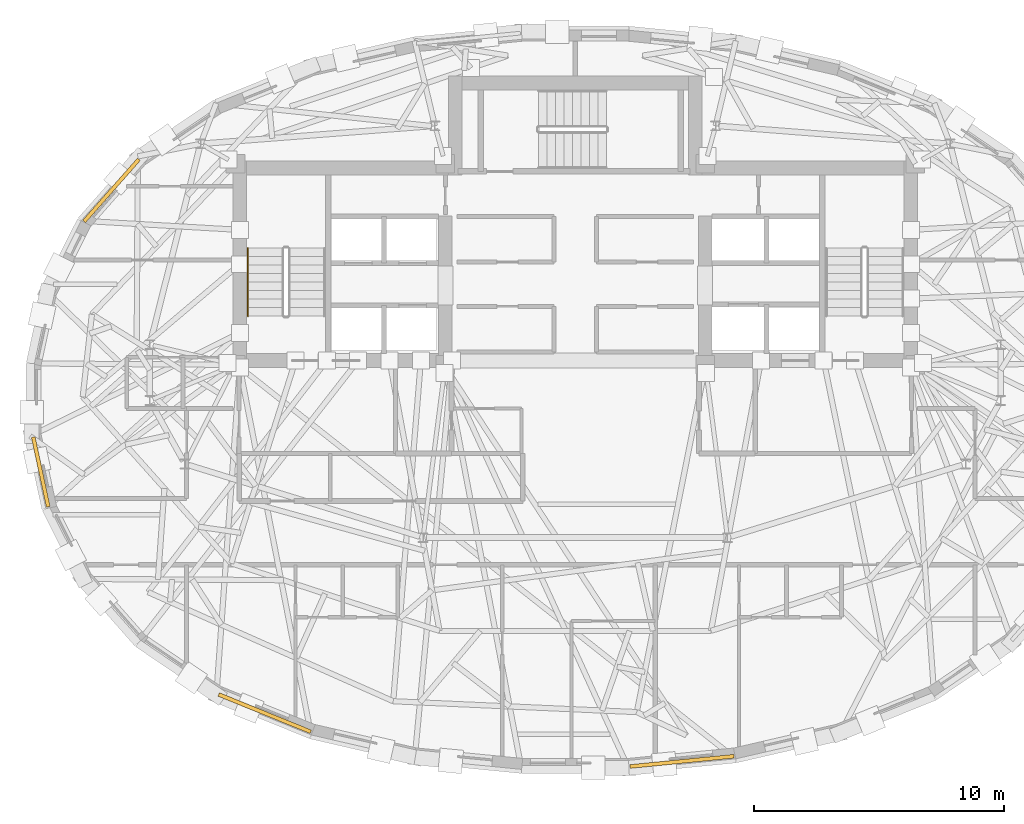
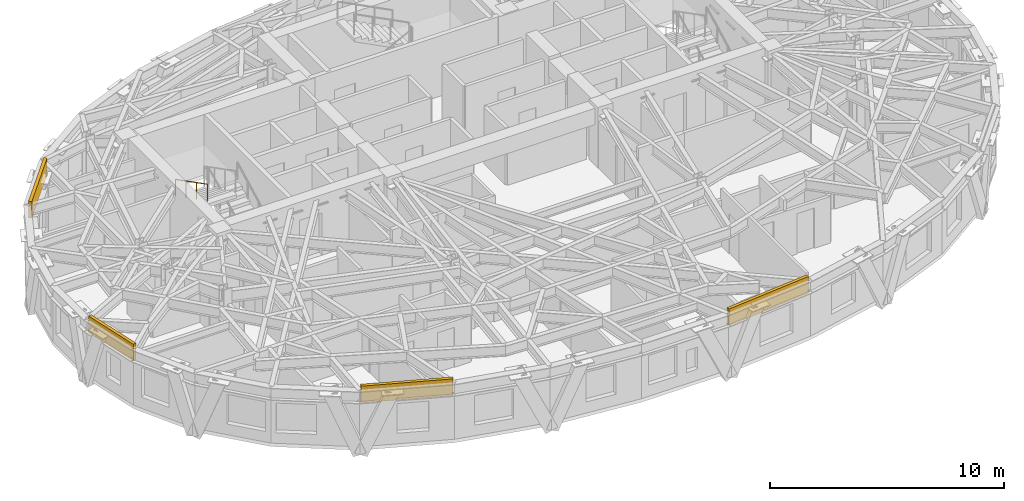
# One storey, part 11 of 13: 4 coverings, 1 railing.
"""IFC4 building model written with IfcOpenShell, lengths in metres."""

from ifc_helpers import new_model, si_unit, direction, frame, origin, origin_2d, place, context, subcontext, project, spatial, rectangle, circle, extrude, material, layer, layer_set, type_object, element, save


model = new_model("IFC4")

# Units and contexts
model_context = context("Model", 3, precision=1e-05, world=origin(), true_north=direction((0.0, 1.0)))
body_context = subcontext(model_context, "Body", "Model", "MODEL_VIEW")
ifc_project = project(units=[si_unit("LENGTHUNIT", "METRE"), si_unit("AREAUNIT", "SQUARE_METRE"), si_unit("VOLUMEUNIT", "CUBIC_METRE"), si_unit("PLANEANGLEUNIT", "RADIAN"), si_unit("MASSUNIT", "GRAM", prefix="KILO")], contexts=[model_context])

# Site, building, storey
site_placement = place(None, origin())
site = spatial("IfcSite", under=ifc_project, at=site_placement, CompositionType="ELEMENT")
building_placement = place(site_placement, origin())
building = spatial("IfcBuilding", under=site, at=building_placement, Name="Keldmark Tower", CompositionType="ELEMENT")
storey_placement = place(building_placement, frame((0.0, 0.0, 235.199951171875)))
storey = spatial("IfcBuildingStorey", under=building, at=storey_placement, Name="L66", CompositionType="ELEMENT", Elevation=235.199951171875)

# Coverings
ifc_material_1 = material(Name="Honed Kasota Buff Dolomitic Limestone", Category="masonry")
ifc_layer = layer(ifc_material_1, 0.074951171875)
ifc_layer_set = layer_set([ifc_layer], Name="Honed Kasota Buff Dolomitic Limestone")
covering_type = type_object("IfcCoveringType", Name="Kasota Buff Limestone Spandrel Cladding Band", PredefinedType="CLADDING", material=ifc_layer_set)
covering_1_placement = place(storey_placement, frame((-18.557373046875, 8.381591796875, 2.260009765625), z_axis=(0.0, 0.0, 1.0), x_axis=(-0.661364231344, -0.750064899525, 0.0)))
element("IfcCovering", 1, at=covering_1_placement, inside=storey, type_object=covering_type, Name="L66 Kasota Limestone Spandrel Band 13", PredefinedType="CLADDING", context=body_context, shape_type="SweptSolid", body=[
    extrude(rectangle(XDim=3.31201171875, YDim=0.14990234375, at=origin_2d()), origin(), (0.0, 0.0, 1.0), 0.8701171875),
])
covering_2_placement = place(storey_placement, frame((-21.389404296875, -2.884033203125, 2.260009765625), z_axis=(0.0, 0.0, 1.0), x_axis=(0.210540008659, -0.977585241682, 0.0)))
element("IfcCovering", 2, at=covering_2_placement, inside=storey, type_object=covering_type, Name="L66 Kasota Limestone Spandrel Band 17", PredefinedType="CLADDING", context=body_context, shape_type="SweptSolid", body=[
    extrude(rectangle(XDim=2.847412109375, YDim=0.14990234375, at=origin_2d()), origin(), (0.0, 0.0, 1.0), 0.8701171875),
])
covering_3_placement = place(storey_placement, frame((-12.426513671875, -12.53759765625, 2.260009765625), z_axis=(0.0, 0.0, 1.0), x_axis=(0.92672549442, -0.375739082333, 0.0)))
element("IfcCovering", 3, at=covering_3_placement, inside=storey, type_object=covering_type, Name="L66 Kasota Limestone Spandrel Band 21", PredefinedType="CLADDING", context=body_context, shape_type="SweptSolid", body=[
    extrude(rectangle(XDim=3.976318359375, YDim=0.14990234375, at=origin_2d()), origin(), (0.0, 0.0, 1.0), 0.8701171875),
])
covering_4_placement = place(storey_placement, frame((4.276123046875, -14.467529296875, 2.260009765625), z_axis=(0.0, 0.0, 1.0), x_axis=(0.995131548634, 0.098555572711, 0.0)))
element("IfcCovering", 4, at=covering_4_placement, inside=storey, type_object=covering_type, Name="L66 Kasota Limestone Spandrel Band 25", PredefinedType="CLADDING", context=body_context, shape_type="SweptSolid", body=[
    extrude(rectangle(XDim=4.17919921875, YDim=0.14990234375, at=origin_2d()), origin(), (0.0, 0.0, 1.0), 0.8701171875),
])

# Railing
ifc_material_2 = material(Name="Stainless Steel AISI 316L", Category="steel")
railing_type = type_object("IfcRailingType", Name="Stainless Steel Stair Handrail 900 mm", PredefinedType="HANDRAIL", material=ifc_material_2)
railing_placement = place(storey_placement, frame((-13.10009765625, 6.070068359375, 1.75)))
element("IfcRailing", 5, at=railing_placement, inside=storey, type_object=railing_type, Name="L66 ST1 stair handrail 2", PredefinedType="HANDRAIL", context=body_context, shape_type="SweptSolid", body=[
    extrude(circle(Radius=0.02392578125, at=origin_2d()), frame((0.0, 0.0, 0.8759765625), z_axis=(0.0, -0.889114319608, 0.457685182924), x_axis=(1.0, 0.0, 0.0)), (0.0, 0.0, 1.0), 3.05908203125),
    extrude(circle(Radius=0.02099609375, at=origin_2d()), origin(), (0.0, 0.0, 1.0), 0.851806640625),
    extrude(circle(Radius=0.02099609375, at=origin_2d()), frame((0.0, -0.90673828125, 0.466796875)), (0.0, 0.0, 1.0), 0.851806640625),
    extrude(circle(Radius=0.02099609375, at=origin_2d()), frame((0.0, -1.813232421875, 0.933349609375)), (0.0, 0.0, 1.0), 0.851806640625),
    extrude(circle(Radius=0.02099609375, at=origin_2d()), frame((0.0, -2.719970703125, 1.400146484375)), (0.0, 0.0, 1.0), 0.851806640625),
])

save(model, "model.ifc")
